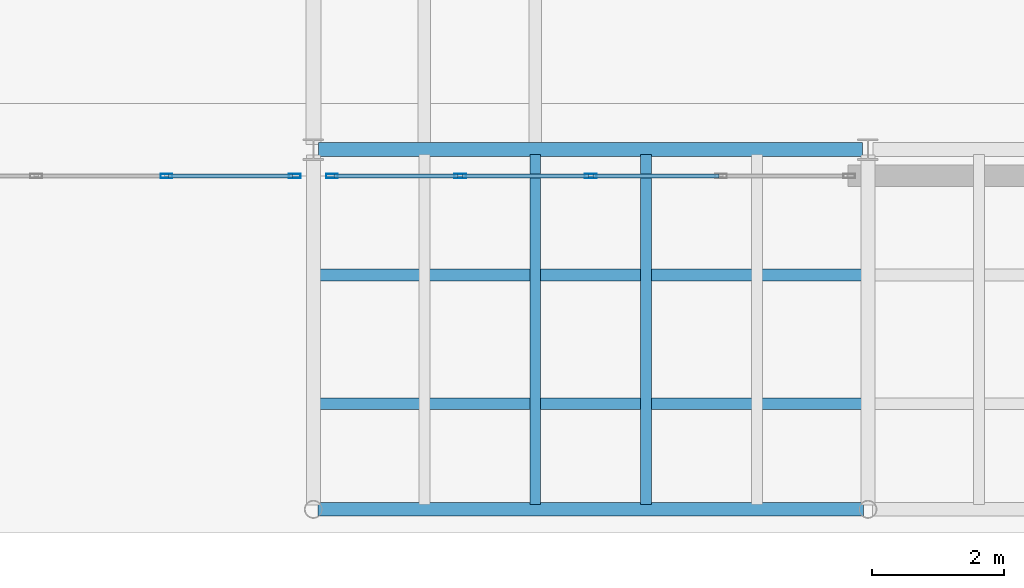
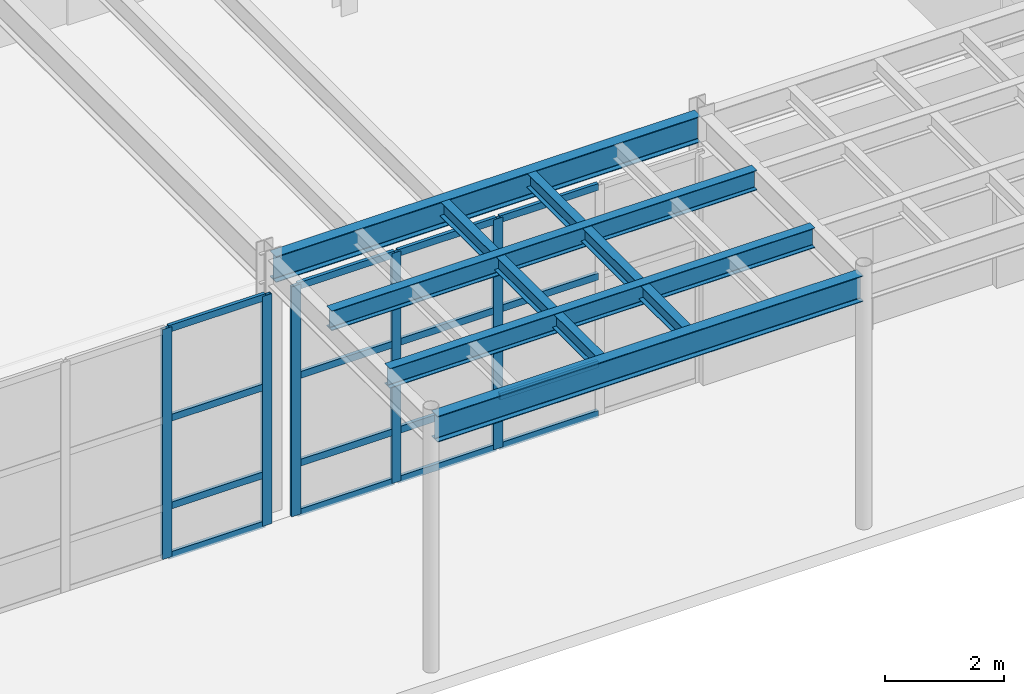
# One storey, part 26 of 87: 21 members, 6 beams, 2 elements without a shape of their own.
"""IFC4 building model written with IfcOpenShell, lengths in metres."""

from ifc_helpers import new_model, si_unit, direction, frame, origin, origin_2d, place, context, subcontext, project, spatial, hollow_rectangle, i_section, extrude, material, layer, layer_set, material_profile, profile_set, type_object, element, aggregate, save


model = new_model("IFC4")

# Units and contexts
model_context = context("Model", 3, precision=1e-05, world=origin(), true_north=direction((0.0, 1.0)))
body_context = subcontext(model_context, "Body", "Model", "MODEL_VIEW")
ifc_project = project(units=[si_unit("LENGTHUNIT", "METRE"), si_unit("AREAUNIT", "SQUARE_METRE"), si_unit("VOLUMEUNIT", "CUBIC_METRE"), si_unit("PLANEANGLEUNIT", "RADIAN"), si_unit("MASSUNIT", "GRAM", prefix="KILO")], contexts=[model_context])

# Site, building, storey
site_placement = place(None, origin())
site = spatial("IfcSite", under=ifc_project, at=site_placement, CompositionType="ELEMENT")
building_placement = place(site_placement, origin())
building = spatial("IfcBuilding", under=site, at=building_placement, Name="Selat Folded Stagehouse", CompositionType="ELEMENT")
storey_placement = place(building_placement, origin())
storey = spatial("IfcBuildingStorey", under=building, at=storey_placement, Name="L00", CompositionType="ELEMENT", Elevation=0.0)

# Beams
ifc_material_1 = material(Name="Steel S355", Category="steel")
ifc_material_profile_1 = material_profile(ifc_material_1, i_section(OverallWidth=0.209228515625, OverallDepth=0.533203125, WebThickness=0.010009765625, FlangeThickness=0.015625, FilletRadius=0.0126953125, at=origin_2d()), Name="UKB 533x210x92")
ifc_profile_set_1 = profile_set([ifc_material_profile_1], Name="Steel S355")
beam_type_1 = type_object("IfcBeamType", Name="BM-GIRD-533x210x92", PredefinedType="BEAM", material=ifc_profile_set_1)
beam_1_placement = place(storey_placement, frame((42.068115234375, 0.35009765625, 4.943603515625), z_axis=(1.0, 0.0, 0.0), x_axis=(0.0, 1.0, 0.0)))
element("IfcBeam", 1, at=beam_1_placement, inside=storey, type_object=beam_type_1, Name="L00 primary x-girder 0496", PredefinedType="BEAM", context=body_context, shape_type="SweptSolid", body=[
    extrude(i_section(OverallWidth=0.209228515625, OverallDepth=0.533203125, WebThickness=0.010009765625, FlangeThickness=0.015625, FilletRadius=0.0126953125, at=origin_2d()), origin(), (0.0, 0.0, 1.0), 8.263671875),
])
beam_2_placement = place(storey_placement, frame((42.080078125, 5.800048828125, 4.91357421875), z_axis=(1.0, 0.0, 0.0), x_axis=(0.0, 1.0, 0.0)))
element("IfcBeam", 2, at=beam_2_placement, inside=storey, type_object=beam_type_1, Name="L00 primary x-girder 0500", PredefinedType="BEAM", context=body_context, shape_type="SweptSolid", body=[
    extrude(i_section(OverallWidth=0.209228515625, OverallDepth=0.533203125, WebThickness=0.010009765625, FlangeThickness=0.015625, FilletRadius=0.0126953125, at=origin_2d()), origin(), (0.0, 0.0, 1.0), 8.239990234375),
])

# Curtain wall, members
ifc_material_2 = material(Name="Aluminium 6063-T6", Category="aluminium")
ifc_layer = layer(ifc_material_2, 0.2099609375)
ifc_layer_set = layer_set([ifc_layer], Name="Aluminium 6063-T6")
curtain_wall_type = type_object("IfcCurtainWallType", Name="CW-FYR-SOUTH", PredefinedType="NOTDEFINED", material=ifc_layer_set)
curtain_wall_1_placement = place(storey_placement, origin())
curtain_wall_1 = element("IfcCurtainWall", 3, at=curtain_wall_1_placement, inside=storey, type_object=curtain_wall_type, Name="L00 curtain wall CW-FYR-L00-00", PredefinedType="NOTDEFINED")
ifc_material_profile_2 = material_profile(ifc_material_2, hollow_rectangle(XDim=0.06494140625, YDim=0.179931640625, WallThickness=0.00390625, at=origin_2d()), Name="ALU 180x65x4.0")
ifc_profile_set_2 = profile_set([ifc_material_profile_2], Name="Aluminium 6063-T6")
member_type_1 = type_object("IfcMemberType", Name="CWM-MUL-180x65", PredefinedType="MULLION", material=ifc_profile_set_2)
member_1_placement = place(storey_placement, frame((41.717529296875, 5.39990234375, 0.0), z_axis=(0.0, 0.0, 1.0), x_axis=(0.0, -1.0, 0.0)))
member_1 = element("IfcMember", 4, at=member_1_placement, type_object=member_type_1, Name="CW-04 mullion 1", PredefinedType="MULLION", context=body_context, shape_type="SweptSolid", body=[
    extrude(hollow_rectangle(XDim=0.06494140625, YDim=0.179931640625, WallThickness=0.00390625, at=origin_2d()), origin(), (0.0, 0.0, 1.0), 4.719970703125),
])
member_2_placement = place(storey_placement, frame((39.77490234375, 5.39990234375, 0.0), z_axis=(0.0, 0.0, 1.0), x_axis=(0.0, -1.0, 0.0)))
member_2 = element("IfcMember", 5, at=member_2_placement, type_object=member_type_1, Name="CW-04 mullion 2", PredefinedType="MULLION", context=body_context, shape_type="SweptSolid", body=[
    extrude(hollow_rectangle(XDim=0.06494140625, YDim=0.179931640625, WallThickness=0.00390625, at=origin_2d()), origin(), (0.0, 0.0, 1.0), 4.719970703125),
])

curtain_wall_2_placement = place(storey_placement, origin())
curtain_wall_2 = element("IfcCurtainWall", 6, at=curtain_wall_2_placement, inside=storey, type_object=curtain_wall_type, Name="L00 curtain wall CW-FYR-L00-01", PredefinedType="NOTDEFINED")
member_3_placement = place(storey_placement, frame((46.199951171875, 5.39990234375, 0.0), z_axis=(0.0, 0.0, 1.0), x_axis=(0.0, -1.0, 0.0)))
member_3 = element("IfcMember", 7, at=member_3_placement, type_object=member_type_1, Name="CW-04 mullion 3", PredefinedType="MULLION", context=body_context, shape_type="SweptSolid", body=[
    extrude(hollow_rectangle(XDim=0.06494140625, YDim=0.179931640625, WallThickness=0.00390625, at=origin_2d()), origin(), (0.0, 0.0, 1.0), 4.719970703125),
])
member_4_placement = place(storey_placement, frame((44.22509765625, 5.39990234375, 0.0), z_axis=(0.0, 0.0, 1.0), x_axis=(0.0, -1.0, 0.0)))
member_4 = element("IfcMember", 8, at=member_4_placement, type_object=member_type_1, Name="CW-04 mullion 4", PredefinedType="MULLION", context=body_context, shape_type="SweptSolid", body=[
    extrude(hollow_rectangle(XDim=0.06494140625, YDim=0.179931640625, WallThickness=0.00390625, at=origin_2d()), origin(), (0.0, 0.0, 1.0), 4.719970703125),
])
member_5_placement = place(storey_placement, frame((42.282470703125, 5.39990234375, 0.0), z_axis=(0.0, 0.0, 1.0), x_axis=(0.0, -1.0, 0.0)))
member_5 = element("IfcMember", 9, at=member_5_placement, type_object=member_type_1, Name="CW-04 mullion 5", PredefinedType="MULLION", context=body_context, shape_type="SweptSolid", body=[
    extrude(hollow_rectangle(XDim=0.06494140625, YDim=0.179931640625, WallThickness=0.00390625, at=origin_2d()), origin(), (0.0, 0.0, 1.0), 4.719970703125),
])

# Member
ifc_material_profile_3 = material_profile(ifc_material_2, hollow_rectangle(XDim=0.06494140625, YDim=0.139892578125, WallThickness=0.00390625, at=origin_2d()), Name="ALU 140x65x4.0")
ifc_profile_set_3 = profile_set([ifc_material_profile_3], Name="Aluminium 6063-T6")
member_type_2 = type_object("IfcMemberType", Name="CWM-TRN-140x65", PredefinedType="USERDEFINED", material=ifc_profile_set_3)
member_6_placement = place(storey_placement, frame((41.68505859375, 5.39990234375, 0.032470703125), z_axis=(-1.0, 0.0, 0.0), x_axis=(0.0, -1.0, 0.0)))
member_6 = element("IfcMember", 10, at=member_6_placement, type_object=member_type_2, Name="CW-04 transom 1.1", ObjectType="TRANSOM", PredefinedType="USERDEFINED", context=body_context, shape_type="SweptSolid", body=[
    extrude(hollow_rectangle(XDim=0.06494140625, YDim=0.139892578125, WallThickness=0.00390625, at=origin_2d()), origin(), (0.0, 0.0, 1.0), 1.87744140625),
])

member_7_placement = place(storey_placement, frame((41.68505859375, 5.39990234375, 1.050048828125), z_axis=(-1.0, 0.0, 0.0), x_axis=(0.0, -1.0, 0.0)))
member_7 = element("IfcMember", 11, at=member_7_placement, type_object=member_type_2, Name="CW-04 transom 1.2", ObjectType="TRANSOM", PredefinedType="USERDEFINED", context=body_context, shape_type="SweptSolid", body=[
    extrude(hollow_rectangle(XDim=0.06494140625, YDim=0.139892578125, WallThickness=0.00390625, at=origin_2d()), origin(), (0.0, 0.0, 1.0), 1.87744140625),
])

member_8_placement = place(storey_placement, frame((41.68505859375, 5.39990234375, 2.85009765625), z_axis=(-1.0, 0.0, 0.0), x_axis=(0.0, -1.0, 0.0)))
member_8 = element("IfcMember", 12, at=member_8_placement, type_object=member_type_2, Name="CW-04 transom 1.3", ObjectType="TRANSOM", PredefinedType="USERDEFINED", context=body_context, shape_type="SweptSolid", body=[
    extrude(hollow_rectangle(XDim=0.06494140625, YDim=0.139892578125, WallThickness=0.00390625, at=origin_2d()), origin(), (0.0, 0.0, 1.0), 1.87744140625),
])

member_9_placement = place(storey_placement, frame((41.68505859375, 5.39990234375, 4.6875), z_axis=(-1.0, 0.0, 0.0), x_axis=(0.0, -1.0, 0.0)))
member_9 = element("IfcMember", 13, at=member_9_placement, type_object=member_type_2, Name="CW-04 transom 1.4", ObjectType="TRANSOM", PredefinedType="USERDEFINED", context=body_context, shape_type="SweptSolid", body=[
    extrude(hollow_rectangle(XDim=0.06494140625, YDim=0.139892578125, WallThickness=0.00390625, at=origin_2d()), origin(), (0.0, 0.0, 1.0), 1.87744140625),
])

aggregate(curtain_wall_1, [member_1, member_2, member_6, member_7, member_8, member_9])

member_10_placement = place(storey_placement, frame((48.142578125, 5.39990234375, 0.032470703125), z_axis=(-1.0, 0.0, 0.0), x_axis=(0.0, -1.0, 0.0)))
member_10 = element("IfcMember", 14, at=member_10_placement, type_object=member_type_2, Name="CW-04 transom 2.1", ObjectType="TRANSOM", PredefinedType="USERDEFINED", context=body_context, shape_type="SweptSolid", body=[
    extrude(hollow_rectangle(XDim=0.06494140625, YDim=0.139892578125, WallThickness=0.00390625, at=origin_2d()), origin(), (0.0, 0.0, 1.0), 1.91015625),
])

member_11_placement = place(storey_placement, frame((48.142578125, 5.39990234375, 1.050048828125), z_axis=(-1.0, 0.0, 0.0), x_axis=(0.0, -1.0, 0.0)))
member_11 = element("IfcMember", 15, at=member_11_placement, type_object=member_type_2, Name="CW-04 transom 2.2", ObjectType="TRANSOM", PredefinedType="USERDEFINED", context=body_context, shape_type="SweptSolid", body=[
    extrude(hollow_rectangle(XDim=0.06494140625, YDim=0.139892578125, WallThickness=0.00390625, at=origin_2d()), origin(), (0.0, 0.0, 1.0), 1.91015625),
])

member_12_placement = place(storey_placement, frame((48.142578125, 5.39990234375, 2.85009765625), z_axis=(-1.0, 0.0, 0.0), x_axis=(0.0, -1.0, 0.0)))
member_12 = element("IfcMember", 16, at=member_12_placement, type_object=member_type_2, Name="CW-04 transom 2.3", ObjectType="TRANSOM", PredefinedType="USERDEFINED", context=body_context, shape_type="SweptSolid", body=[
    extrude(hollow_rectangle(XDim=0.06494140625, YDim=0.139892578125, WallThickness=0.00390625, at=origin_2d()), origin(), (0.0, 0.0, 1.0), 1.91015625),
])

member_13_placement = place(storey_placement, frame((48.142578125, 5.39990234375, 4.6875), z_axis=(-1.0, 0.0, 0.0), x_axis=(0.0, -1.0, 0.0)))
member_13 = element("IfcMember", 17, at=member_13_placement, type_object=member_type_2, Name="CW-04 transom 2.4", ObjectType="TRANSOM", PredefinedType="USERDEFINED", context=body_context, shape_type="SweptSolid", body=[
    extrude(hollow_rectangle(XDim=0.06494140625, YDim=0.139892578125, WallThickness=0.00390625, at=origin_2d()), origin(), (0.0, 0.0, 1.0), 1.91015625),
])

member_14_placement = place(storey_placement, frame((46.16748046875, 5.39990234375, 0.032470703125), z_axis=(-1.0, 0.0, 0.0), x_axis=(0.0, -1.0, 0.0)))
member_14 = element("IfcMember", 18, at=member_14_placement, type_object=member_type_2, Name="CW-04 transom 3.1", ObjectType="TRANSOM", PredefinedType="USERDEFINED", context=body_context, shape_type="SweptSolid", body=[
    extrude(hollow_rectangle(XDim=0.06494140625, YDim=0.139892578125, WallThickness=0.00390625, at=origin_2d()), origin(), (0.0, 0.0, 1.0), 1.909912109375),
])

member_15_placement = place(storey_placement, frame((46.16748046875, 5.39990234375, 1.050048828125), z_axis=(-1.0, 0.0, 0.0), x_axis=(0.0, -1.0, 0.0)))
member_15 = element("IfcMember", 19, at=member_15_placement, type_object=member_type_2, Name="CW-04 transom 3.2", ObjectType="TRANSOM", PredefinedType="USERDEFINED", context=body_context, shape_type="SweptSolid", body=[
    extrude(hollow_rectangle(XDim=0.06494140625, YDim=0.139892578125, WallThickness=0.00390625, at=origin_2d()), origin(), (0.0, 0.0, 1.0), 1.909912109375),
])

member_16_placement = place(storey_placement, frame((46.16748046875, 5.39990234375, 2.85009765625), z_axis=(-1.0, 0.0, 0.0), x_axis=(0.0, -1.0, 0.0)))
member_16 = element("IfcMember", 20, at=member_16_placement, type_object=member_type_2, Name="CW-04 transom 3.3", ObjectType="TRANSOM", PredefinedType="USERDEFINED", context=body_context, shape_type="SweptSolid", body=[
    extrude(hollow_rectangle(XDim=0.06494140625, YDim=0.139892578125, WallThickness=0.00390625, at=origin_2d()), origin(), (0.0, 0.0, 1.0), 1.909912109375),
])

member_17_placement = place(storey_placement, frame((46.16748046875, 5.39990234375, 4.6875), z_axis=(-1.0, 0.0, 0.0), x_axis=(0.0, -1.0, 0.0)))
member_17 = element("IfcMember", 21, at=member_17_placement, type_object=member_type_2, Name="CW-04 transom 3.4", ObjectType="TRANSOM", PredefinedType="USERDEFINED", context=body_context, shape_type="SweptSolid", body=[
    extrude(hollow_rectangle(XDim=0.06494140625, YDim=0.139892578125, WallThickness=0.00390625, at=origin_2d()), origin(), (0.0, 0.0, 1.0), 1.909912109375),
])

member_18_placement = place(storey_placement, frame((44.1923828125, 5.39990234375, 0.032470703125), z_axis=(-1.0, 0.0, 0.0), x_axis=(0.0, -1.0, 0.0)))
member_18 = element("IfcMember", 22, at=member_18_placement, type_object=member_type_2, Name="CW-04 transom 4.1", ObjectType="TRANSOM", PredefinedType="USERDEFINED", context=body_context, shape_type="SweptSolid", body=[
    extrude(hollow_rectangle(XDim=0.06494140625, YDim=0.139892578125, WallThickness=0.00390625, at=origin_2d()), origin(), (0.0, 0.0, 1.0), 1.87744140625),
])

member_19_placement = place(storey_placement, frame((44.1923828125, 5.39990234375, 1.050048828125), z_axis=(-1.0, 0.0, 0.0), x_axis=(0.0, -1.0, 0.0)))
member_19 = element("IfcMember", 23, at=member_19_placement, type_object=member_type_2, Name="CW-04 transom 4.2", ObjectType="TRANSOM", PredefinedType="USERDEFINED", context=body_context, shape_type="SweptSolid", body=[
    extrude(hollow_rectangle(XDim=0.06494140625, YDim=0.139892578125, WallThickness=0.00390625, at=origin_2d()), origin(), (0.0, 0.0, 1.0), 1.87744140625),
])

member_20_placement = place(storey_placement, frame((44.1923828125, 5.39990234375, 2.85009765625), z_axis=(-1.0, 0.0, 0.0), x_axis=(0.0, -1.0, 0.0)))
member_20 = element("IfcMember", 24, at=member_20_placement, type_object=member_type_2, Name="CW-04 transom 4.3", ObjectType="TRANSOM", PredefinedType="USERDEFINED", context=body_context, shape_type="SweptSolid", body=[
    extrude(hollow_rectangle(XDim=0.06494140625, YDim=0.139892578125, WallThickness=0.00390625, at=origin_2d()), origin(), (0.0, 0.0, 1.0), 1.87744140625),
])

member_21_placement = place(storey_placement, frame((44.1923828125, 5.39990234375, 4.6875), z_axis=(-1.0, 0.0, 0.0), x_axis=(0.0, -1.0, 0.0)))
member_21 = element("IfcMember", 25, at=member_21_placement, type_object=member_type_2, Name="CW-04 transom 4.4", ObjectType="TRANSOM", PredefinedType="USERDEFINED", context=body_context, shape_type="SweptSolid", body=[
    extrude(hollow_rectangle(XDim=0.06494140625, YDim=0.139892578125, WallThickness=0.00390625, at=origin_2d()), origin(), (0.0, 0.0, 1.0), 1.87744140625),
])

aggregate(curtain_wall_2, [member_3, member_4, member_5, member_10, member_11, member_12, member_13, member_14, member_15, member_16, member_17, member_18, member_19, member_20, member_21])

# Beams
ifc_material_profile_4 = material_profile(ifc_material_1, i_section(OverallWidth=0.1650390625, OverallDepth=0.303466796875, WebThickness=0.006103515625, FlangeThickness=0.01025390625, FilletRadius=0.0087890625, at=origin_2d()), Name="UKB 305x165x40")
ifc_profile_set_4 = profile_set([ifc_material_profile_4], Name="Steel S355")
beam_type_2 = type_object("IfcBeamType", Name="JST-305x165x40", PredefinedType="JOIST", material=ifc_profile_set_4)
for number, where, z_axis, x_axis, name in (
    (26, (45.360107421875, 0.42333984375, 5.0283203125), (0.0, 1.0, 0.0), (-1.0, 0.0, 0.0), "L00 secondary floor joist 0645"),
    (27, (47.0400390625, 0.42333984375, 5.0283203125), (0.0, 1.0, 0.0), (-1.0, 0.0, 0.0), "L00 secondary floor joist 0648"),
):
    element("IfcBeam", number, at=place(storey_placement, frame(where, z_axis=z_axis, x_axis=x_axis)), inside=storey, type_object=beam_type_2, Name=name, PredefinedType="JOIST", context=body_context, shape_type="SweptSolid", body=[
        extrude(i_section(OverallWidth=0.1650390625, OverallDepth=0.303466796875, WebThickness=0.006103515625, FlangeThickness=0.01025390625, FilletRadius=0.0087890625, at=origin_2d()), origin(), (0.0, 0.0, 1.0), 5.303466796875),
    ])
ifc_material_profile_5 = material_profile(ifc_material_1, i_section(OverallWidth=0.177978515625, OverallDepth=0.406494140625, WebThickness=0.0078125, FlangeThickness=0.0126953125, FilletRadius=0.01025390625, at=origin_2d()), Name="UKB 406x178x60")
ifc_profile_set_5 = profile_set([ifc_material_profile_5], Name="Steel S355")
beam_type_3 = type_object("IfcBeamType", Name="JST-406x178x60", PredefinedType="JOIST", material=ifc_profile_set_5)
for number, where, z_axis, x_axis, name in (
    (28, (42.07373046875, 1.949951171875, 5.0068359375), (1.0, 0.0, 0.0), (0.0, 1.0, 0.0), "L00 secondary x-joist 0699"),
    (29, (42.07373046875, 3.89990234375, 5.0068359375), (1.0, 0.0, 0.0), (0.0, 1.0, 0.0), "L00 secondary x-joist 0704"),
):
    element("IfcBeam", number, at=place(storey_placement, frame(where, z_axis=z_axis, x_axis=x_axis)), inside=storey, type_object=beam_type_3, Name=name, PredefinedType="JOIST", context=body_context, shape_type="SweptSolid", body=[
        extrude(i_section(OverallWidth=0.177978515625, OverallDepth=0.406494140625, WebThickness=0.0078125, FlangeThickness=0.0126953125, FilletRadius=0.01025390625, at=origin_2d()), origin(), (0.0, 0.0, 1.0), 8.25244140625),
    ])

save(model, "model.ifc")
